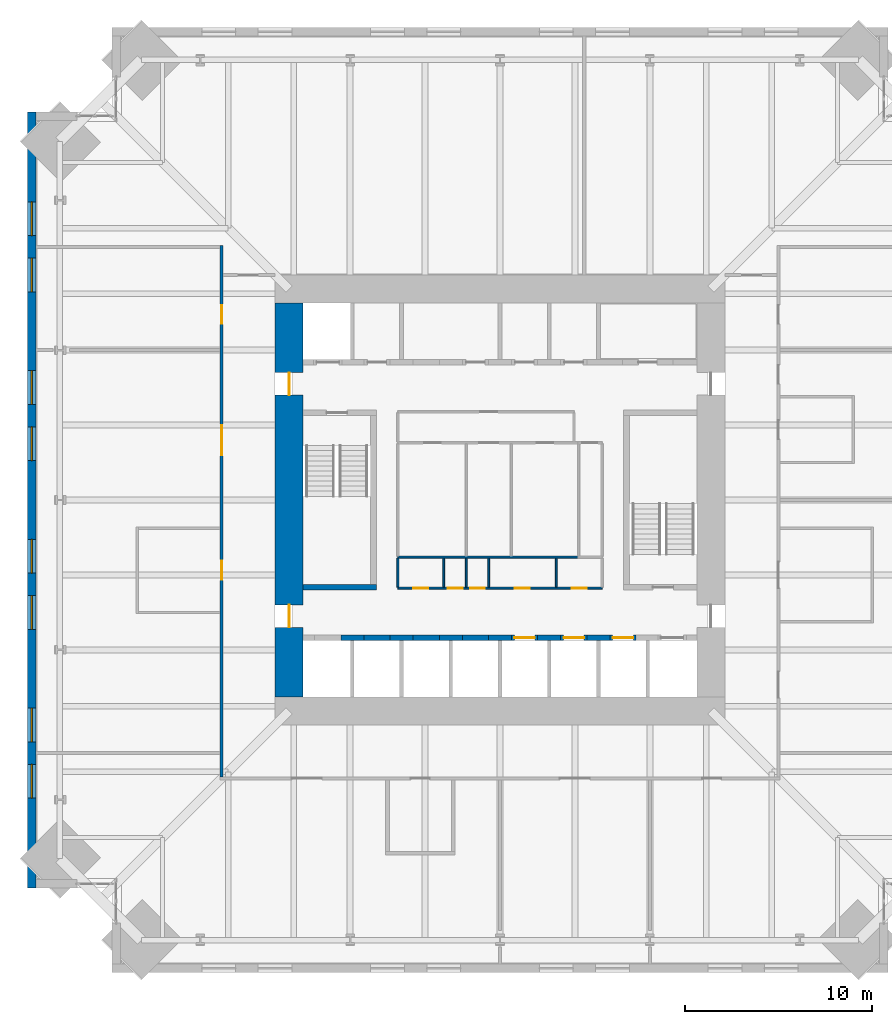
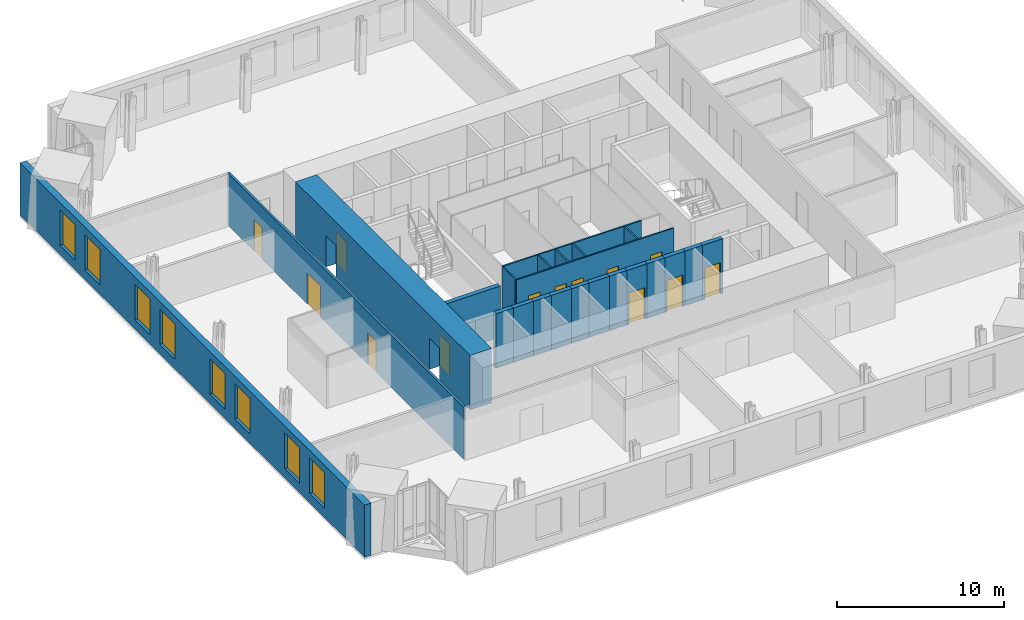
# One storey, part 11 of 15: 23 walls, 13 doors, 8 windows, 21 openings.
"""IFC4 building model written with IfcOpenShell, lengths in metres."""

from ifc_helpers import new_model, si_unit, direction, frame, frame_2d, origin, place, context, subcontext, project, spatial, rectangle, extrude, material, layer, layer_set, type_object, element, fill, save


model = new_model("IFC4")

# Units and contexts
model_context = context("Model", 3, precision=1e-05, world=origin(), true_north=direction((0.0, 1.0)))
body_context = subcontext(model_context, "Body", "Model", "MODEL_VIEW")
ifc_project = project(units=[si_unit("LENGTHUNIT", "METRE"), si_unit("AREAUNIT", "SQUARE_METRE"), si_unit("VOLUMEUNIT", "CUBIC_METRE"), si_unit("PLANEANGLEUNIT", "RADIAN"), si_unit("MASSUNIT", "GRAM", prefix="KILO")], contexts=[model_context])

# Site, building, storey
site_placement = place(None, origin())
site = spatial("IfcSite", under=ifc_project, at=site_placement, CompositionType="ELEMENT")
building_placement = place(site_placement, origin())
building = spatial("IfcBuilding", under=site, at=building_placement, Name="Peilmerk Tower", CompositionType="ELEMENT")
storey_placement = place(building_placement, frame((0.0, 0.0, 183.800048828125)))
storey = spatial("IfcBuildingStorey", under=building, at=storey_placement, Name="L39", CompositionType="ELEMENT", Elevation=183.800048828125)

# Wall, openings, windows
ifc_material_1 = material(Name="Precast concrete C45/55, board-marked finish", Category="concrete")
ifc_layer_1 = layer(ifc_material_1, 0.449951171875)
ifc_layer_set_1 = layer_set([ifc_layer_1], Name="Precast concrete C45/55, board-marked finish")
wall_type_1 = type_object("IfcWallType", Name="EW1 450 precast concrete facade wall, board-marked", PredefinedType="SOLIDWALL", material=ifc_layer_set_1)
wall_1_placement = place(storey_placement, frame((-24.97509765625, 20.699951171875, 0.0), z_axis=(0.0, 0.0, 1.0), x_axis=(0.0, -1.0, 0.0)))
wall_1 = element("IfcWall", 1, at=wall_1_placement, inside=storey, type_object=wall_type_1, Name="Facade wall W L39", PredefinedType="SOLIDWALL", context=body_context, shape_type="SweptSolid", body=[
    extrude(rectangle(XDim=41.39990234375, YDim=0.449951171875, at=frame_2d((20.699951171875, 0.0))), origin(), (0.0, 0.0, 1.0), 3.829833984375),
])
opening_1_placement = place(wall_1_placement, frame((4.800048828125, 0.0, 0.699951171875)))
opening_1 = element("IfcOpeningElement", 2, at=opening_1_placement, cuts=wall_1, Name="Opening W1", PredefinedType="OPENING", context=body_context, shape_type="SweptSolid", body=[
    extrude(rectangle(XDim=1.800048828125, YDim=2.60009765625, at=frame_2d((0.89990234375, 1.300048828125))), frame((0.0, 0.23486328125, 0.0), z_axis=(0.0, -1.0, 0.0), x_axis=(1.0, 0.0, 0.0)), (0.0, 0.0, 1.0), 0.469970703125),
])
opening_2_placement = place(wall_1_placement, frame((7.800048828125, 0.0, 0.699951171875)))
opening_2 = element("IfcOpeningElement", 3, at=opening_2_placement, cuts=wall_1, Name="Opening W1", PredefinedType="OPENING", context=body_context, shape_type="SweptSolid", body=[
    extrude(rectangle(XDim=1.800048828125, YDim=2.60009765625, at=frame_2d((0.89990234375, 1.300048828125))), frame((0.0, 0.23486328125, 0.0), z_axis=(0.0, -1.0, 0.0), x_axis=(1.0, 0.0, 0.0)), (0.0, 0.0, 1.0), 0.469970703125),
])
opening_3_placement = place(wall_1_placement, frame((13.800048828125, 0.0, 0.699951171875)))
opening_3 = element("IfcOpeningElement", 4, at=opening_3_placement, cuts=wall_1, Name="Opening W1", PredefinedType="OPENING", context=body_context, shape_type="SweptSolid", body=[
    extrude(rectangle(XDim=1.800048828125, YDim=2.60009765625, at=frame_2d((0.89990234375, 1.300048828125))), frame((0.0, 0.23486328125, 0.0), z_axis=(0.0, -1.0, 0.0), x_axis=(1.0, 0.0, 0.0)), (0.0, 0.0, 1.0), 0.469970703125),
])
opening_4_placement = place(wall_1_placement, frame((16.800048828125, 0.0, 0.699951171875)))
opening_4 = element("IfcOpeningElement", 5, at=opening_4_placement, cuts=wall_1, Name="Opening W1", PredefinedType="OPENING", context=body_context, shape_type="SweptSolid", body=[
    extrude(rectangle(XDim=1.800048828125, YDim=2.60009765625, at=frame_2d((0.89990234375, 1.300048828125))), frame((0.0, 0.23486328125, 0.0), z_axis=(0.0, -1.0, 0.0), x_axis=(1.0, 0.0, 0.0)), (0.0, 0.0, 1.0), 0.469970703125),
])
opening_5_placement = place(wall_1_placement, frame((22.800048828125, 0.0, 0.699951171875)))
opening_5 = element("IfcOpeningElement", 6, at=opening_5_placement, cuts=wall_1, Name="Opening W1", PredefinedType="OPENING", context=body_context, shape_type="SweptSolid", body=[
    extrude(rectangle(XDim=1.800048828125, YDim=2.60009765625, at=frame_2d((0.89990234375, 1.300048828125))), frame((0.0, 0.23486328125, 0.0), z_axis=(0.0, -1.0, 0.0), x_axis=(1.0, 0.0, 0.0)), (0.0, 0.0, 1.0), 0.469970703125),
])
opening_6_placement = place(wall_1_placement, frame((25.800048828125, 0.0, 0.699951171875)))
opening_6 = element("IfcOpeningElement", 7, at=opening_6_placement, cuts=wall_1, Name="Opening W1", PredefinedType="OPENING", context=body_context, shape_type="SweptSolid", body=[
    extrude(rectangle(XDim=1.800048828125, YDim=2.60009765625, at=frame_2d((0.89990234375, 1.300048828125))), frame((0.0, 0.23486328125, 0.0), z_axis=(0.0, -1.0, 0.0), x_axis=(1.0, 0.0, 0.0)), (0.0, 0.0, 1.0), 0.469970703125),
])
opening_7_placement = place(wall_1_placement, frame((31.800048828125, 0.0, 0.699951171875)))
opening_7 = element("IfcOpeningElement", 8, at=opening_7_placement, cuts=wall_1, Name="Opening W1", PredefinedType="OPENING", context=body_context, shape_type="SweptSolid", body=[
    extrude(rectangle(XDim=1.800048828125, YDim=2.60009765625, at=frame_2d((0.89990234375, 1.300048828125))), frame((0.0, 0.23486328125, 0.0), z_axis=(0.0, -1.0, 0.0), x_axis=(1.0, 0.0, 0.0)), (0.0, 0.0, 1.0), 0.469970703125),
])
opening_8_placement = place(wall_1_placement, frame((34.800048828125, 0.0, 0.699951171875)))
opening_8 = element("IfcOpeningElement", 9, at=opening_8_placement, cuts=wall_1, Name="Opening W1", PredefinedType="OPENING", context=body_context, shape_type="SweptSolid", body=[
    extrude(rectangle(XDim=1.800048828125, YDim=2.60009765625, at=frame_2d((0.89990234375, 1.300048828125))), frame((0.0, 0.23486328125, 0.0), z_axis=(0.0, -1.0, 0.0), x_axis=(1.0, 0.0, 0.0)), (0.0, 0.0, 1.0), 0.469970703125),
])
ifc_material_2 = material(Name="Aluminium frame, clear double glazing", Category="aluminium")
window_type = type_object("IfcWindowType", Name="W1 1800x2600 office window", PartitioningType="SINGLE_PANEL", PredefinedType="WINDOW", material=ifc_material_2)
window_1_placement = place(opening_1_placement, origin())
window_1 = element("IfcWindow", 10, at=window_1_placement, inside=storey, type_object=window_type, Name="Window W1 L39", OverallHeight=2.60009765625, OverallWidth=1.800048828125, PartitioningType="SINGLE_PANEL", PredefinedType="WINDOW", context=body_context, shape_type="SweptSolid", body=[
    extrude(rectangle(XDim=1.800048828125, YDim=2.60009765625, at=frame_2d((0.89990234375, 1.300048828125))), frame((0.0, 0.030029296875, 0.0), z_axis=(0.0, -1.0, 0.0), x_axis=(1.0, 0.0, 0.0)), (0.0, 0.0, 1.0), 0.06005859375),
])
fill(opening_1, window_1)
window_2_placement = place(opening_2_placement, origin())
window_2 = element("IfcWindow", 11, at=window_2_placement, inside=storey, type_object=window_type, Name="Window W1 L39", OverallHeight=2.60009765625, OverallWidth=1.800048828125, PartitioningType="SINGLE_PANEL", PredefinedType="WINDOW", context=body_context, shape_type="SweptSolid", body=[
    extrude(rectangle(XDim=1.800048828125, YDim=2.60009765625, at=frame_2d((0.89990234375, 1.300048828125))), frame((0.0, 0.030029296875, 0.0), z_axis=(0.0, -1.0, 0.0), x_axis=(1.0, 0.0, 0.0)), (0.0, 0.0, 1.0), 0.06005859375),
])
fill(opening_2, window_2)
window_3_placement = place(opening_3_placement, origin())
window_3 = element("IfcWindow", 12, at=window_3_placement, inside=storey, type_object=window_type, Name="Window W1 L39", OverallHeight=2.60009765625, OverallWidth=1.800048828125, PartitioningType="SINGLE_PANEL", PredefinedType="WINDOW", context=body_context, shape_type="SweptSolid", body=[
    extrude(rectangle(XDim=1.800048828125, YDim=2.60009765625, at=frame_2d((0.89990234375, 1.300048828125))), frame((0.0, 0.030029296875, 0.0), z_axis=(0.0, -1.0, 0.0), x_axis=(1.0, 0.0, 0.0)), (0.0, 0.0, 1.0), 0.06005859375),
])
fill(opening_3, window_3)
window_4_placement = place(opening_4_placement, origin())
window_4 = element("IfcWindow", 13, at=window_4_placement, inside=storey, type_object=window_type, Name="Window W1 L39", OverallHeight=2.60009765625, OverallWidth=1.800048828125, PartitioningType="SINGLE_PANEL", PredefinedType="WINDOW", context=body_context, shape_type="SweptSolid", body=[
    extrude(rectangle(XDim=1.800048828125, YDim=2.60009765625, at=frame_2d((0.89990234375, 1.300048828125))), frame((0.0, 0.030029296875, 0.0), z_axis=(0.0, -1.0, 0.0), x_axis=(1.0, 0.0, 0.0)), (0.0, 0.0, 1.0), 0.06005859375),
])
fill(opening_4, window_4)
window_5_placement = place(opening_5_placement, origin())
window_5 = element("IfcWindow", 14, at=window_5_placement, inside=storey, type_object=window_type, Name="Window W1 L39", OverallHeight=2.60009765625, OverallWidth=1.800048828125, PartitioningType="SINGLE_PANEL", PredefinedType="WINDOW", context=body_context, shape_type="SweptSolid", body=[
    extrude(rectangle(XDim=1.800048828125, YDim=2.60009765625, at=frame_2d((0.89990234375, 1.300048828125))), frame((0.0, 0.030029296875, 0.0), z_axis=(0.0, -1.0, 0.0), x_axis=(1.0, 0.0, 0.0)), (0.0, 0.0, 1.0), 0.06005859375),
])
fill(opening_5, window_5)
window_6_placement = place(opening_6_placement, origin())
window_6 = element("IfcWindow", 15, at=window_6_placement, inside=storey, type_object=window_type, Name="Window W1 L39", OverallHeight=2.60009765625, OverallWidth=1.800048828125, PartitioningType="SINGLE_PANEL", PredefinedType="WINDOW", context=body_context, shape_type="SweptSolid", body=[
    extrude(rectangle(XDim=1.800048828125, YDim=2.60009765625, at=frame_2d((0.89990234375, 1.300048828125))), frame((0.0, 0.030029296875, 0.0), z_axis=(0.0, -1.0, 0.0), x_axis=(1.0, 0.0, 0.0)), (0.0, 0.0, 1.0), 0.06005859375),
])
fill(opening_6, window_6)
window_7_placement = place(opening_7_placement, origin())
window_7 = element("IfcWindow", 16, at=window_7_placement, inside=storey, type_object=window_type, Name="Window W1 L39", OverallHeight=2.60009765625, OverallWidth=1.800048828125, PartitioningType="SINGLE_PANEL", PredefinedType="WINDOW", context=body_context, shape_type="SweptSolid", body=[
    extrude(rectangle(XDim=1.800048828125, YDim=2.60009765625, at=frame_2d((0.89990234375, 1.300048828125))), frame((0.0, 0.030029296875, 0.0), z_axis=(0.0, -1.0, 0.0), x_axis=(1.0, 0.0, 0.0)), (0.0, 0.0, 1.0), 0.06005859375),
])
fill(opening_7, window_7)
window_8_placement = place(opening_8_placement, origin())
window_8 = element("IfcWindow", 17, at=window_8_placement, inside=storey, type_object=window_type, Name="Window W1 L39", OverallHeight=2.60009765625, OverallWidth=1.800048828125, PartitioningType="SINGLE_PANEL", PredefinedType="WINDOW", context=body_context, shape_type="SweptSolid", body=[
    extrude(rectangle(XDim=1.800048828125, YDim=2.60009765625, at=frame_2d((0.89990234375, 1.300048828125))), frame((0.0, 0.030029296875, 0.0), z_axis=(0.0, -1.0, 0.0), x_axis=(1.0, 0.0, 0.0)), (0.0, 0.0, 1.0), 0.06005859375),
])
fill(opening_8, window_8)

# Wall, openings, doors
ifc_material_3 = material(Name="Calcium silicate block", Category="masonry")
ifc_layer_2 = layer(ifc_material_3, 0.14990234375)
ifc_layer_set_2 = layer_set([ifc_layer_2], Name="Calcium silicate block")
wall_type_2 = type_object("IfcWallType", Name="IW1 150 corridor partition, EI 60", PredefinedType="PARTITIONING", material=ifc_layer_set_2)
wall_2_placement = place(storey_placement, frame((-14.85009765625, 13.574951171875, 0.0), z_axis=(0.0, 0.0, 1.0), x_axis=(0.0, -1.0, 0.0)))
wall_2 = element("IfcWall", 18, at=wall_2_placement, inside=storey, type_object=wall_type_2, Name="Corridor wall W L39", PredefinedType="PARTITIONING", context=body_context, shape_type="SweptSolid", body=[
    extrude(rectangle(XDim=28.349853515625, YDim=0.14990234375, at=frame_2d((14.1748046875, 0.0))), origin(), (0.0, 0.0, 1.0), 3.829833984375),
])
opening_9_placement = place(wall_2_placement, frame((9.574951171875, 0.0, 0.0)))
opening_9 = element("IfcOpeningElement", 19, at=opening_9_placement, cuts=wall_2, Name="Opening D9", PredefinedType="OPENING", context=body_context, shape_type="SweptSolid", body=[
    extrude(rectangle(XDim=1.60009765625, YDim=2.300048828125, at=frame_2d((0.800048828125, 1.14990234375))), frame((0.0, 0.0849609375, 0.0), z_axis=(0.0, -1.0, 0.0), x_axis=(1.0, 0.0, 0.0)), (0.0, 0.0, 1.0), 0.169921875),
])
opening_10_placement = place(wall_2_placement, frame((3.175048828125, 0.0, 0.0)))
opening_10 = element("IfcOpeningElement", 20, at=opening_10_placement, cuts=wall_2, Name="Opening D1", PredefinedType="OPENING", context=body_context, shape_type="SweptSolid", body=[
    extrude(rectangle(XDim=1.0, YDim=2.300048828125, at=frame_2d((0.5, 1.14990234375))), frame((0.0, 0.0849609375, 0.0), z_axis=(0.0, -1.0, 0.0), x_axis=(1.0, 0.0, 0.0)), (0.0, 0.0, 1.0), 0.169921875),
])
opening_11_placement = place(wall_2_placement, frame((16.824951171875, 0.0, 0.0)))
opening_11 = element("IfcOpeningElement", 21, at=opening_11_placement, cuts=wall_2, Name="Opening D1", PredefinedType="OPENING", context=body_context, shape_type="SweptSolid", body=[
    extrude(rectangle(XDim=1.0, YDim=2.300048828125, at=frame_2d((0.5, 1.14990234375))), frame((0.0, 0.0849609375, 0.0), z_axis=(0.0, -1.0, 0.0), x_axis=(1.0, 0.0, 0.0)), (0.0, 0.0, 1.0), 0.169921875),
])
ifc_material_4 = material(Name="Timber door in steel frame", Category="steel")
door_type_1 = type_object("IfcDoorType", Name="D1 1000x2300 room door, EI2 30", OperationType="SINGLE_SWING_LEFT", PredefinedType="DOOR", material=ifc_material_4)
door_1_placement = place(opening_10_placement, frame((1.0, 0.0, 0.0), z_axis=(0.0, 0.0, 1.0), x_axis=(-1.0, 0.0, 0.0)))
door_1 = element("IfcDoor", 22, at=door_1_placement, inside=storey, type_object=door_type_1, Name="Door Project room L39", OperationType="SINGLE_SWING_LEFT", OverallHeight=2.300048828125, OverallWidth=1.0, PredefinedType="DOOR", context=body_context, shape_type="SweptSolid", body=[
    extrude(rectangle(XDim=1.0, YDim=2.300048828125, at=frame_2d((0.5, 1.14990234375))), frame((0.0, 0.02490234375, 0.0), z_axis=(0.0, -1.0, 0.0), x_axis=(1.0, 0.0, 0.0)), (0.0, 0.0, 1.0), 0.050048828125),
])
fill(opening_10, door_1)
door_2_placement = place(opening_11_placement, frame((1.0, 0.0, 0.0), z_axis=(0.0, 0.0, 1.0), x_axis=(-1.0, 0.0, 0.0)))
door_2 = element("IfcDoor", 23, at=door_2_placement, inside=storey, type_object=door_type_1, Name="Door Meeting room L39", OperationType="SINGLE_SWING_LEFT", OverallHeight=2.300048828125, OverallWidth=1.0, PredefinedType="DOOR", context=body_context, shape_type="SweptSolid", body=[
    extrude(rectangle(XDim=1.0, YDim=2.300048828125, at=frame_2d((0.5, 1.14990234375))), frame((0.0, 0.02490234375, 0.0), z_axis=(0.0, -1.0, 0.0), x_axis=(1.0, 0.0, 0.0)), (0.0, 0.0, 1.0), 0.050048828125),
])
fill(opening_11, door_2)
ifc_material_5 = material(Name="Glazed timber door in steel frame", Category="steel")
door_type_2 = type_object("IfcDoorType", Name="D9 1600x2300 glazed double door, EI2 30", OperationType="DOUBLE_DOOR_SINGLE_SWING", PredefinedType="DOOR", material=ifc_material_5)
door_3_placement = place(opening_9_placement, frame((1.60009765625, 0.0, 0.0), z_axis=(0.0, 0.0, 1.0), x_axis=(-1.0, 0.0, 0.0)))
door_3 = element("IfcDoor", 24, at=door_3_placement, inside=storey, type_object=door_type_2, Name="Door Open workspace L39", OperationType="DOUBLE_DOOR_SINGLE_SWING", OverallHeight=2.300048828125, OverallWidth=1.60009765625, PredefinedType="DOOR", context=body_context, shape_type="SweptSolid", body=[
    extrude(rectangle(XDim=1.60009765625, YDim=2.300048828125, at=frame_2d((0.800048828125, 1.14990234375))), frame((0.0, 0.02490234375, 0.0), z_axis=(0.0, -1.0, 0.0), x_axis=(1.0, 0.0, 0.0)), (0.0, 0.0, 1.0), 0.050048828125),
])
fill(opening_9, door_3)

# Walls
ifc_material_6 = material(Name="Concrete C35/45", Category="concrete")
ifc_layer_3 = layer(ifc_material_6, 0.300048828125)
ifc_layer_set_3 = layer_set([ifc_layer_3], Name="Concrete C35/45")
wall_type_3 = type_object("IfcWallType", Name="IW3 300 concrete stair enclosure wall, EI 120", PredefinedType="SOLIDWALL", material=ifc_layer_set_3)
wall_3_placement = place(storey_placement, frame((-6.60009765625, -4.64990234375, 0.0), z_axis=(0.0, 0.0, 1.0), x_axis=(-1.0, 0.0, 0.0)))
element("IfcWall", 25, at=wall_3_placement, inside=storey, type_object=wall_type_3, Name="Stair 1 enclosure L39", PredefinedType="SOLIDWALL", context=body_context, shape_type="SweptSolid", body=[
    extrude(rectangle(XDim=3.89990234375, YDim=0.300048828125, at=frame_2d((1.949951171875, 0.0))), origin(), (0.0, 0.0, 1.0), 3.75),
])
ifc_material_7 = material(Name="Plasterboard on steel studs", Category="steel")
ifc_layer_4 = layer(ifc_material_7, 0.10009765625)
ifc_layer_set_4 = layer_set([ifc_layer_4], Name="Plasterboard on steel studs")
wall_type_4 = type_object("IfcWallType", Name="IW4 100 WC partition", PredefinedType="PARTITIONING", material=ifc_layer_set_4)
wall_4_placement = place(storey_placement, frame((4.14990234375, -3.050048828125, 0.0), z_axis=(0.0, 0.0, 1.0), x_axis=(-1.0, 0.0, 0.0)))
element("IfcWall", 26, at=wall_4_placement, inside=storey, type_object=wall_type_4, Name="WC wall L39", PredefinedType="PARTITIONING", context=body_context, shape_type="SweptSolid", body=[
    extrude(rectangle(XDim=9.599853515625, YDim=0.10009765625, at=frame_2d((4.7998046875, 0.0))), origin(), (0.0, 0.0, 1.0), 3.75),
])

# Wall, openings, doors
ifc_material_8 = material(Name="Calcium silicate board on steel studs", Category="steel")
ifc_layer_5 = layer(ifc_material_8, 0.10009765625)
ifc_layer_set_5 = layer_set([ifc_layer_5], Name="Calcium silicate board on steel studs")
wall_type_5 = type_object("IfcWallType", Name="IW5 100 riser enclosure wall, EI 60", PredefinedType="PARTITIONING", material=ifc_layer_set_5)
wall_5_placement = place(storey_placement, frame((5.449951171875, -4.699951171875, 0.0), z_axis=(0.0, 0.0, 1.0), x_axis=(-1.0, 0.0, 0.0)))
wall_5 = element("IfcWall", 27, at=wall_5_placement, inside=storey, type_object=wall_type_5, Name="Riser wall L39", PredefinedType="PARTITIONING", context=body_context, shape_type="SweptSolid", body=[
    extrude(rectangle(XDim=10.89990234375, YDim=0.10009765625, at=frame_2d((5.449951171875, 0.0))), origin(), (0.0, 0.0, 1.0), 3.75),
])
opening_12_placement = place(wall_5_placement, frame((9.27490234375, 0.0, 0.0)))
opening_12 = element("IfcOpeningElement", 28, at=opening_12_placement, cuts=wall_5, Name="Opening D7", PredefinedType="OPENING", context=body_context, shape_type="SweptSolid", body=[
    extrude(rectangle(XDim=0.800048828125, YDim=2.300048828125, at=frame_2d((0.39990234375, 1.14990234375))), frame((0.0, 0.06005859375, 0.0), z_axis=(0.0, -1.0, 0.0), x_axis=(1.0, 0.0, 0.0)), (0.0, 0.0, 1.0), 0.1201171875),
])
opening_13_placement = place(wall_5_placement, frame((7.449951171875, 0.0, 0.0)))
opening_13 = element("IfcOpeningElement", 29, at=opening_13_placement, cuts=wall_5, Name="Opening D7", PredefinedType="OPENING", context=body_context, shape_type="SweptSolid", body=[
    extrude(rectangle(XDim=0.800048828125, YDim=2.300048828125, at=frame_2d((0.39990234375, 1.14990234375))), frame((0.0, 0.06005859375, 0.0), z_axis=(0.0, -1.0, 0.0), x_axis=(1.0, 0.0, 0.0)), (0.0, 0.0, 1.0), 0.1201171875),
])
opening_14_placement = place(wall_5_placement, frame((6.25, 0.0, 0.0)))
opening_14 = element("IfcOpeningElement", 30, at=opening_14_placement, cuts=wall_5, Name="Opening D7", PredefinedType="OPENING", context=body_context, shape_type="SweptSolid", body=[
    extrude(rectangle(XDim=0.800048828125, YDim=2.300048828125, at=frame_2d((0.39990234375, 1.14990234375))), frame((0.0, 0.06005859375, 0.0), z_axis=(0.0, -1.0, 0.0), x_axis=(1.0, 0.0, 0.0)), (0.0, 0.0, 1.0), 0.1201171875),
])
opening_15_placement = place(wall_5_placement, frame((3.85009765625, 0.0, 0.0)))
opening_15 = element("IfcOpeningElement", 31, at=opening_15_placement, cuts=wall_5, Name="Opening D7", PredefinedType="OPENING", context=body_context, shape_type="SweptSolid", body=[
    extrude(rectangle(XDim=0.800048828125, YDim=2.300048828125, at=frame_2d((0.39990234375, 1.14990234375))), frame((0.0, 0.06005859375, 0.0), z_axis=(0.0, -1.0, 0.0), x_axis=(1.0, 0.0, 0.0)), (0.0, 0.0, 1.0), 0.1201171875),
])
opening_16_placement = place(wall_5_placement, frame((0.824951171875, 0.0, 0.0)))
opening_16 = element("IfcOpeningElement", 32, at=opening_16_placement, cuts=wall_5, Name="Opening D7", PredefinedType="OPENING", context=body_context, shape_type="SweptSolid", body=[
    extrude(rectangle(XDim=0.800048828125, YDim=2.300048828125, at=frame_2d((0.39990234375, 1.14990234375))), frame((0.0, 0.06005859375, 0.0), z_axis=(0.0, -1.0, 0.0), x_axis=(1.0, 0.0, 0.0)), (0.0, 0.0, 1.0), 0.1201171875),
])
ifc_material_9 = material(Name="Steel door in steel frame", Category="steel")
door_type_3 = type_object("IfcDoorType", Name="D7 800x2300 riser access door, EI2 60", OperationType="SINGLE_SWING_RIGHT", PredefinedType="DOOR", material=ifc_material_9)
door_4_placement = place(opening_12_placement, frame((0.800048828125, 0.0, 0.0), z_axis=(0.0, 0.0, 1.0), x_axis=(-1.0, 0.0, 0.0)))
door_4 = element("IfcDoor", 33, at=door_4_placement, inside=storey, type_object=door_type_3, Name="Cleaner's cupboard door L39", OperationType="SINGLE_SWING_RIGHT", OverallHeight=2.300048828125, OverallWidth=0.800048828125, PredefinedType="DOOR", context=body_context, shape_type="SweptSolid", body=[
    extrude(rectangle(XDim=0.800048828125, YDim=2.300048828125, at=frame_2d((0.39990234375, 1.14990234375))), frame((0.0, 0.02490234375, 0.0), z_axis=(0.0, -1.0, 0.0), x_axis=(1.0, 0.0, 0.0)), (0.0, 0.0, 1.0), 0.050048828125),
])
fill(opening_12, door_4)
door_5_placement = place(opening_13_placement, frame((0.800048828125, 0.0, 0.0), z_axis=(0.0, 0.0, 1.0), x_axis=(-1.0, 0.0, 0.0)))
door_5 = element("IfcDoor", 34, at=door_5_placement, inside=storey, type_object=door_type_3, Name="Electrical riser door L39", OperationType="SINGLE_SWING_RIGHT", OverallHeight=2.300048828125, OverallWidth=0.800048828125, PredefinedType="DOOR", context=body_context, shape_type="SweptSolid", body=[
    extrude(rectangle(XDim=0.800048828125, YDim=2.300048828125, at=frame_2d((0.39990234375, 1.14990234375))), frame((0.0, 0.02490234375, 0.0), z_axis=(0.0, -1.0, 0.0), x_axis=(1.0, 0.0, 0.0)), (0.0, 0.0, 1.0), 0.050048828125),
])
fill(opening_13, door_5)
door_6_placement = place(opening_14_placement, frame((0.800048828125, 0.0, 0.0), z_axis=(0.0, 0.0, 1.0), x_axis=(-1.0, 0.0, 0.0)))
door_6 = element("IfcDoor", 35, at=door_6_placement, inside=storey, type_object=door_type_3, Name="Data riser door L39", OperationType="SINGLE_SWING_RIGHT", OverallHeight=2.300048828125, OverallWidth=0.800048828125, PredefinedType="DOOR", context=body_context, shape_type="SweptSolid", body=[
    extrude(rectangle(XDim=0.800048828125, YDim=2.300048828125, at=frame_2d((0.39990234375, 1.14990234375))), frame((0.0, 0.02490234375, 0.0), z_axis=(0.0, -1.0, 0.0), x_axis=(1.0, 0.0, 0.0)), (0.0, 0.0, 1.0), 0.050048828125),
])
fill(opening_14, door_6)
door_7_placement = place(opening_15_placement, frame((0.800048828125, 0.0, 0.0), z_axis=(0.0, 0.0, 1.0), x_axis=(-1.0, 0.0, 0.0)))
door_7 = element("IfcDoor", 36, at=door_7_placement, inside=storey, type_object=door_type_3, Name="Comms room door L39", OperationType="SINGLE_SWING_RIGHT", OverallHeight=2.300048828125, OverallWidth=0.800048828125, PredefinedType="DOOR", context=body_context, shape_type="SweptSolid", body=[
    extrude(rectangle(XDim=0.800048828125, YDim=2.300048828125, at=frame_2d((0.39990234375, 1.14990234375))), frame((0.0, 0.02490234375, 0.0), z_axis=(0.0, -1.0, 0.0), x_axis=(1.0, 0.0, 0.0)), (0.0, 0.0, 1.0), 0.050048828125),
])
fill(opening_15, door_7)
door_8_placement = place(opening_16_placement, frame((0.800048828125, 0.0, 0.0), z_axis=(0.0, 0.0, 1.0), x_axis=(-1.0, 0.0, 0.0)))
door_8 = element("IfcDoor", 37, at=door_8_placement, inside=storey, type_object=door_type_3, Name="Water meter room door L39", OperationType="SINGLE_SWING_RIGHT", OverallHeight=2.300048828125, OverallWidth=0.800048828125, PredefinedType="DOOR", context=body_context, shape_type="SweptSolid", body=[
    extrude(rectangle(XDim=0.800048828125, YDim=2.300048828125, at=frame_2d((0.39990234375, 1.14990234375))), frame((0.0, 0.02490234375, 0.0), z_axis=(0.0, -1.0, 0.0), x_axis=(1.0, 0.0, 0.0)), (0.0, 0.0, 1.0), 0.050048828125),
])
fill(opening_16, door_8)

# Walls
for number, where, z_axis, x_axis, name in (
    (38, (-5.449951171875, -3.10009765625, 0.0), (0.0, 0.0, 1.0), (0.0, -1.0, 0.0), "Riser wall L39"),
    (39, (-3.0, -3.10009765625, 0.0), (0.0, 0.0, 1.0), (0.0, -1.0, 0.0), "Riser wall L39"),
    (40, (-1.800048828125, -3.10009765625, 0.0), (0.0, 0.0, 1.0), (0.0, -1.0, 0.0), "Riser wall L39"),
    (41, (-0.60009765625, -3.10009765625, 0.0), (0.0, 0.0, 1.0), (0.0, -1.0, 0.0), "Riser wall L39"),
    (42, (3.0, -3.10009765625, 0.0), (0.0, 0.0, 1.0), (0.0, -1.0, 0.0), "Riser wall L39"),
):
    element("IfcWall", number, at=place(storey_placement, frame(where, z_axis=z_axis, x_axis=x_axis)), inside=storey, type_object=wall_type_5, Name=name, PredefinedType="PARTITIONING", context=body_context, shape_type="SweptSolid", body=[
        extrude(rectangle(XDim=1.5498046875, YDim=0.10009765625, at=frame_2d((0.77490234375, 0.0))), origin(), (0.0, 0.0, 1.0), 3.75),
    ])
ifc_layer_6 = layer(ifc_material_3, 0.300048828125)
ifc_layer_set_6 = layer_set([ifc_layer_6], Name="Calcium silicate block")
wall_type_6 = type_object("IfcWallType", Name="SH2 300 lift landing door panel, EI 120", PredefinedType="PARTITIONING", material=ifc_layer_set_6)
for number, where, z_axis, x_axis, name in (
    (43, (-7.262451171875, -7.35009765625, 0.0), (0.0, 0.0, 1.0), (1.0, 0.0, 0.0), "Lift door panel S C3 L39"),
    (44, (-4.637451171875, -7.35009765625, 0.0), (0.0, 0.0, 1.0), (1.0, 0.0, 0.0), "Lift door panel S C2 L39"),
    (45, (-2.012451171875, -7.35009765625, 0.0), (0.0, 0.0, 1.0), (1.0, 0.0, 0.0), "Lift door panel S C1 L39"),
):
    element("IfcWall", number, at=place(storey_placement, frame(where, z_axis=z_axis, x_axis=x_axis)), inside=storey, type_object=wall_type_6, Name=name, PredefinedType="PARTITIONING", context=body_context, shape_type="SweptSolid", body=[
        extrude(rectangle(XDim=1.39990234375, YDim=0.300048828125, at=frame_2d((0.699951171875, 0.0))), origin(), (0.0, 0.0, 1.0), 4.0),
    ])

# Wall, opening, door
wall_6_placement = place(storey_placement, frame((0.612548828125, -7.35009765625, 0.0), z_axis=(0.0, 0.0, 1.0), x_axis=(1.0, 0.0, 0.0)))
wall_6 = element("IfcWall", 46, at=wall_6_placement, inside=storey, type_object=wall_type_6, Name="Lift door panel S B3 L39", PredefinedType="PARTITIONING", context=body_context, shape_type="SweptSolid", body=[
    extrude(rectangle(XDim=1.39990234375, YDim=0.300048828125, at=frame_2d((0.699951171875, 0.0))), origin(), (0.0, 0.0, 1.0), 4.0),
])
opening_17_placement = place(wall_6_placement, frame((0.14990234375, 0.0, 0.0)))
opening_17 = element("IfcOpeningElement", 47, at=opening_17_placement, cuts=wall_6, Name="Opening LD1", PredefinedType="OPENING", context=body_context, shape_type="SweptSolid", body=[
    extrude(rectangle(XDim=1.10009765625, YDim=2.300048828125, at=frame_2d((0.550048828125, 1.14990234375))), frame((0.0, 0.159912109375, 0.0), z_axis=(0.0, -1.0, 0.0), x_axis=(1.0, 0.0, 0.0)), (0.0, 0.0, 1.0), 0.320068359375),
])
ifc_material_10 = material(Name="Stainless steel landing door", Category="steel")
door_type_4 = type_object("IfcDoorType", Name="LD1 1100x2300 lift landing door, sliding, EI2 60", OperationType="SLIDING_TO_LEFT", PredefinedType="DOOR", material=ifc_material_10)
door_9_placement = place(opening_17_placement, origin())
door_9 = element("IfcDoor", 48, at=door_9_placement, inside=storey, type_object=door_type_4, Name="Lift landing door B3 L39", OperationType="SLIDING_TO_LEFT", OverallHeight=2.300048828125, OverallWidth=1.10009765625, PredefinedType="DOOR", context=body_context, shape_type="SweptSolid", body=[
    extrude(rectangle(XDim=1.10009765625, YDim=2.300048828125, at=frame_2d((0.550048828125, 1.14990234375))), frame((0.0, 0.02490234375, 0.0), z_axis=(0.0, -1.0, 0.0), x_axis=(1.0, 0.0, 0.0)), (0.0, 0.0, 1.0), 0.050048828125),
])
fill(opening_17, door_9)

wall_7_placement = place(storey_placement, frame((3.237548828125, -7.35009765625, 0.0), z_axis=(0.0, 0.0, 1.0), x_axis=(1.0, 0.0, 0.0)))
wall_7 = element("IfcWall", 49, at=wall_7_placement, inside=storey, type_object=wall_type_6, Name="Lift door panel S B2 L39", PredefinedType="PARTITIONING", context=body_context, shape_type="SweptSolid", body=[
    extrude(rectangle(XDim=1.39990234375, YDim=0.300048828125, at=frame_2d((0.699951171875, 0.0))), origin(), (0.0, 0.0, 1.0), 4.0),
])
opening_18_placement = place(wall_7_placement, frame((0.14990234375, 0.0, 0.0)))
opening_18 = element("IfcOpeningElement", 50, at=opening_18_placement, cuts=wall_7, Name="Opening LD1", PredefinedType="OPENING", context=body_context, shape_type="SweptSolid", body=[
    extrude(rectangle(XDim=1.10009765625, YDim=2.300048828125, at=frame_2d((0.550048828125, 1.14990234375))), frame((0.0, 0.159912109375, 0.0), z_axis=(0.0, -1.0, 0.0), x_axis=(1.0, 0.0, 0.0)), (0.0, 0.0, 1.0), 0.320068359375),
])
door_10_placement = place(opening_18_placement, origin())
door_10 = element("IfcDoor", 51, at=door_10_placement, inside=storey, type_object=door_type_4, Name="Lift landing door B2 L39", OperationType="SLIDING_TO_LEFT", OverallHeight=2.300048828125, OverallWidth=1.10009765625, PredefinedType="DOOR", context=body_context, shape_type="SweptSolid", body=[
    extrude(rectangle(XDim=1.10009765625, YDim=2.300048828125, at=frame_2d((0.550048828125, 1.14990234375))), frame((0.0, 0.02490234375, 0.0), z_axis=(0.0, -1.0, 0.0), x_axis=(1.0, 0.0, 0.0)), (0.0, 0.0, 1.0), 0.050048828125),
])
fill(opening_18, door_10)

wall_8_placement = place(storey_placement, frame((5.862548828125, -7.35009765625, 0.0), z_axis=(0.0, 0.0, 1.0), x_axis=(1.0, 0.0, 0.0)))
wall_8 = element("IfcWall", 52, at=wall_8_placement, inside=storey, type_object=wall_type_6, Name="Lift door panel S B1 L39", PredefinedType="PARTITIONING", context=body_context, shape_type="SweptSolid", body=[
    extrude(rectangle(XDim=1.39990234375, YDim=0.300048828125, at=frame_2d((0.699951171875, 0.0))), origin(), (0.0, 0.0, 1.0), 4.0),
])
opening_19_placement = place(wall_8_placement, frame((0.14990234375, 0.0, 0.0)))
opening_19 = element("IfcOpeningElement", 53, at=opening_19_placement, cuts=wall_8, Name="Opening LD1", PredefinedType="OPENING", context=body_context, shape_type="SweptSolid", body=[
    extrude(rectangle(XDim=1.10009765625, YDim=2.300048828125, at=frame_2d((0.550048828125, 1.14990234375))), frame((0.0, 0.159912109375, 0.0), z_axis=(0.0, -1.0, 0.0), x_axis=(1.0, 0.0, 0.0)), (0.0, 0.0, 1.0), 0.320068359375),
])
door_11_placement = place(opening_19_placement, origin())
door_11 = element("IfcDoor", 54, at=door_11_placement, inside=storey, type_object=door_type_4, Name="Lift landing door B1 L39", OperationType="SLIDING_TO_LEFT", OverallHeight=2.300048828125, OverallWidth=1.10009765625, PredefinedType="DOOR", context=body_context, shape_type="SweptSolid", body=[
    extrude(rectangle(XDim=1.10009765625, YDim=2.300048828125, at=frame_2d((0.550048828125, 1.14990234375))), frame((0.0, 0.02490234375, 0.0), z_axis=(0.0, -1.0, 0.0), x_axis=(1.0, 0.0, 0.0)), (0.0, 0.0, 1.0), 0.050048828125),
])
fill(opening_19, door_11)

# Wall, openings, doors
ifc_material_11 = material(Name="Concrete C55/67", Category="concrete")
ifc_layer_7 = layer(ifc_material_11, 1.5)
ifc_layer_set_7 = layer_set([ifc_layer_7], Name="Concrete C55/67")
wall_type_7 = type_object("IfcWallType", Name="SW1 1500 core wall", PredefinedType="SHEAR", material=ifc_layer_set_7)
wall_9_placement = place(storey_placement, frame((-11.25, -10.5, 0.0), z_axis=(0.0, 0.0, 1.0), x_axis=(0.0, 1.0, 0.0)))
wall_9 = element("IfcWall", 55, at=wall_9_placement, inside=storey, type_object=wall_type_7, Name="Core wall W L39", PredefinedType="SHEAR", context=body_context, shape_type="SweptSolid", body=[
    extrude(rectangle(XDim=21.0, YDim=1.5, at=frame_2d((10.5, 0.0))), origin(), (0.0, 0.0, 1.0), 4.0),
])
opening_20_placement = place(wall_9_placement, frame((16.10009765625, 0.0, 0.0)))
opening_20 = element("IfcOpeningElement", 56, at=opening_20_placement, cuts=wall_9, Name="Opening D3", PredefinedType="OPENING", context=body_context, shape_type="SweptSolid", body=[
    extrude(rectangle(XDim=1.199951171875, YDim=2.300048828125, at=frame_2d((0.60009765625, 1.14990234375))), frame((0.0, 0.760009765625, 0.0), z_axis=(0.0, -1.0, 0.0), x_axis=(1.0, 0.0, 0.0)), (0.0, 0.0, 1.0), 1.52001953125),
])
opening_21_placement = place(wall_9_placement, frame((3.699951171875, 0.0, 0.0)))
opening_21 = element("IfcOpeningElement", 57, at=opening_21_placement, cuts=wall_9, Name="Opening D3", PredefinedType="OPENING", context=body_context, shape_type="SweptSolid", body=[
    extrude(rectangle(XDim=1.199951171875, YDim=2.300048828125, at=frame_2d((0.60009765625, 1.14990234375))), frame((0.0, 0.760009765625, 0.0), z_axis=(0.0, -1.0, 0.0), x_axis=(1.0, 0.0, 0.0)), (0.0, 0.0, 1.0), 1.52001953125),
])
door_type_5 = type_object("IfcDoorType", Name="D3 1200x2300 core door, EI2 60", OperationType="SINGLE_SWING_LEFT", PredefinedType="DOOR", material=ifc_material_9)
door_12_placement = place(opening_20_placement, frame((1.199951171875, 0.0, 0.0), z_axis=(0.0, 0.0, 1.0), x_axis=(-1.0, 0.0, 0.0)))
door_12 = element("IfcDoor", 58, at=door_12_placement, inside=storey, type_object=door_type_5, Name="Core door L39", OperationType="SINGLE_SWING_LEFT", OverallHeight=2.300048828125, OverallWidth=1.199951171875, PredefinedType="DOOR", context=body_context, shape_type="SweptSolid", body=[
    extrude(rectangle(XDim=1.199951171875, YDim=2.300048828125, at=frame_2d((0.60009765625, 1.14990234375))), frame((0.0, 0.02490234375, 0.0), z_axis=(0.0, -1.0, 0.0), x_axis=(1.0, 0.0, 0.0)), (0.0, 0.0, 1.0), 0.050048828125),
])
fill(opening_20, door_12)
door_13_placement = place(opening_21_placement, frame((1.199951171875, 0.0, 0.0), z_axis=(0.0, 0.0, 1.0), x_axis=(-1.0, 0.0, 0.0)))
door_13 = element("IfcDoor", 59, at=door_13_placement, inside=storey, type_object=door_type_5, Name="Core door L39", OperationType="SINGLE_SWING_LEFT", OverallHeight=2.300048828125, OverallWidth=1.199951171875, PredefinedType="DOOR", context=body_context, shape_type="SweptSolid", body=[
    extrude(rectangle(XDim=1.199951171875, YDim=2.300048828125, at=frame_2d((0.60009765625, 1.14990234375))), frame((0.0, 0.02490234375, 0.0), z_axis=(0.0, -1.0, 0.0), x_axis=(1.0, 0.0, 0.0)), (0.0, 0.0, 1.0), 0.050048828125),
])
fill(opening_21, door_13)

# Walls
ifc_layer_8 = layer(ifc_material_11, 0.300048828125)
ifc_layer_set_8 = layer_set([ifc_layer_8], Name="Concrete C55/67")
wall_type_8 = type_object("IfcWallType", Name="SW2 300 lift bank pier", PredefinedType="SHEAR", material=ifc_layer_set_8)
for number, where, z_axis, x_axis, name in (
    (60, (-8.487548828125, -7.35009765625, 0.0), (0.0, 0.0, 1.0), (1.0, 0.0, 0.0), "Lift bank pier S L39"),
    (61, (-5.862548828125, -7.35009765625, 0.0), (0.0, 0.0, 1.0), (1.0, 0.0, 0.0), "Lift bank pier S L39"),
    (62, (-3.237548828125, -7.35009765625, 0.0), (0.0, 0.0, 1.0), (1.0, 0.0, 0.0), "Lift bank pier S L39"),
    (63, (-0.612548828125, -7.35009765625, 0.0), (0.0, 0.0, 1.0), (1.0, 0.0, 0.0), "Lift bank pier S L39"),
    (64, (2.012451171875, -7.35009765625, 0.0), (0.0, 0.0, 1.0), (1.0, 0.0, 0.0), "Lift bank pier S L39"),
    (65, (4.637451171875, -7.35009765625, 0.0), (0.0, 0.0, 1.0), (1.0, 0.0, 0.0), "Lift bank pier S L39"),
):
    element("IfcWall", number, at=place(storey_placement, frame(where, z_axis=z_axis, x_axis=x_axis)), inside=storey, type_object=wall_type_8, Name=name, PredefinedType="SHEAR", context=body_context, shape_type="SweptSolid", body=[
        extrude(rectangle(XDim=1.22509765625, YDim=0.300048828125, at=frame_2d((0.612548828125, 0.0))), origin(), (0.0, 0.0, 1.0), 4.0),
    ])

save(model, "model.ifc")
